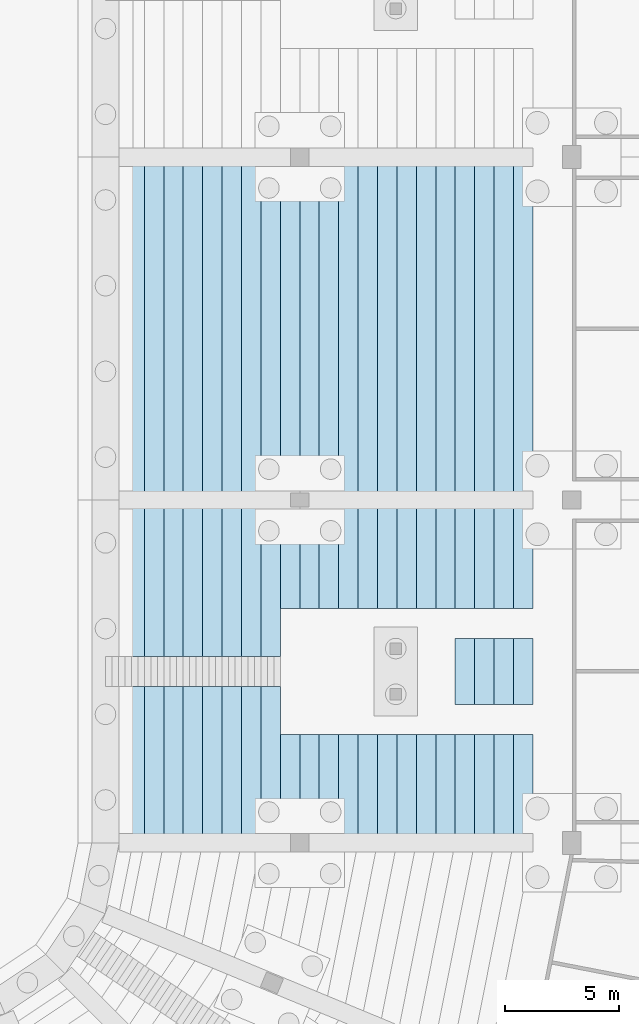
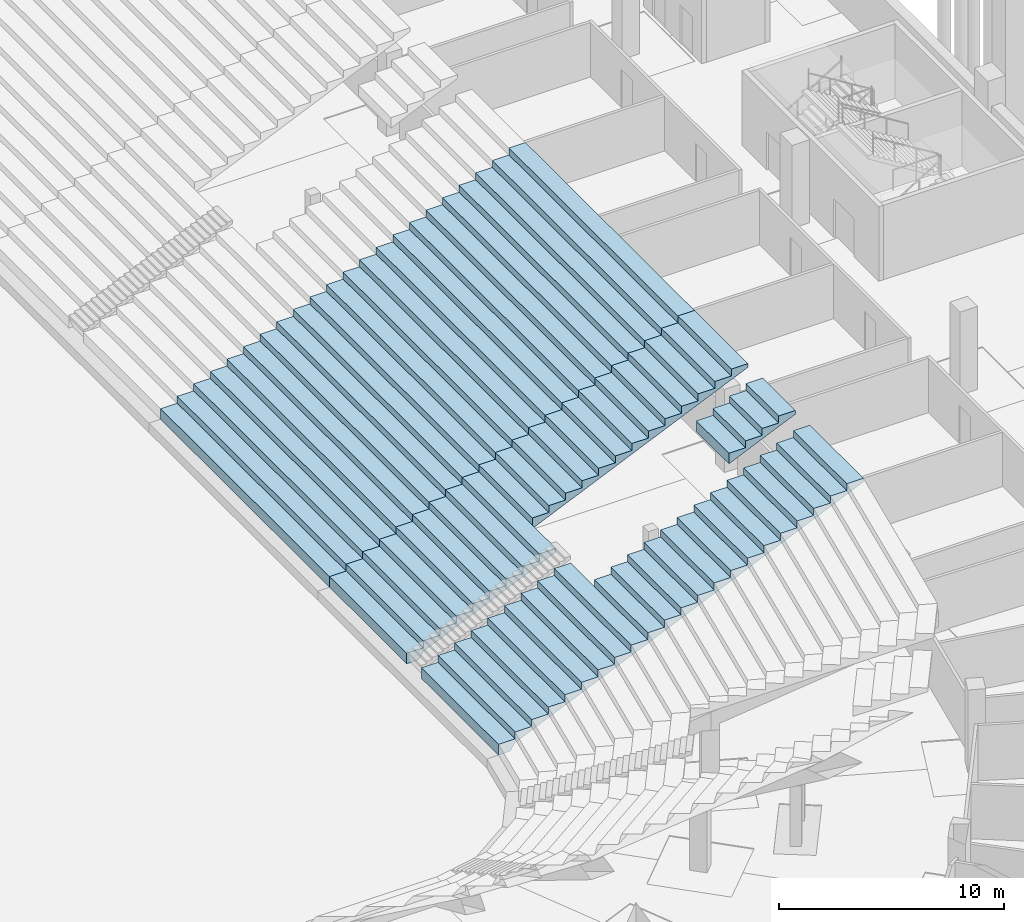
# One storey, part 50 of 115: 2 slabs.
"""IFC4 building model written with IfcOpenShell, lengths in metres."""

from ifc_helpers import new_model, si_unit, direction, frame, origin, place, context, subcontext, project, spatial, faceted_brep, material, layer, layer_set, type_object, element, save


model = new_model("IFC4")

# Units and contexts
model_context = context("Model", 3, precision=1e-05, world=origin(), true_north=direction((0.0, 1.0)))
body_context = subcontext(model_context, "Body", "Model", "MODEL_VIEW")
ifc_project = project(units=[si_unit("LENGTHUNIT", "METRE"), si_unit("AREAUNIT", "SQUARE_METRE"), si_unit("VOLUMEUNIT", "CUBIC_METRE"), si_unit("PLANEANGLEUNIT", "RADIAN"), si_unit("MASSUNIT", "GRAM", prefix="KILO")], contexts=[model_context])

# Site, building, storey
site_placement = place(None, origin())
site = spatial("IfcSite", under=ifc_project, at=site_placement, CompositionType="ELEMENT")
building_placement = place(site_placement, origin())
building = spatial("IfcBuilding", under=site, at=building_placement, Name="Ogive Plaza Stadium", CompositionType="ELEMENT")
storey_placement = place(building_placement, frame((0.0, 0.0, -4.5)))
storey = spatial("IfcBuildingStorey", under=building, at=storey_placement, Name="B1", CompositionType="ELEMENT", Elevation=-4.5)

# Slabs
ifc_material = material(Name="Concrete C45/55 precast", Category="concrete")
ifc_layer = layer(ifc_material, 0.574951171875)
ifc_layer_set = layer_set([ifc_layer], Name="Concrete C45/55 precast")
slab_type = type_object("IfcSlabType", Name="Seating tier LT 575", PredefinedType="USERDEFINED", material=ifc_layer_set)
slab_1_placement = place(storey_placement, origin())
element("IfcSlab", 1, at=slab_1_placement, inside=storey, type_object=slab_type, Name="Stand LT B06", ObjectType="SEATING TIER", PredefinedType="USERDEFINED", context=body_context, shape_type="Brep", body=[
    faceted_brep([(41.5, -37.5, 1.125), (42.10009765625, -37.5, 1.125), (42.10009765625, -22.5, 1.125), (41.5, -22.5, 1.125), (42.35009765625, -37.5, 1.125), (42.35009765625, -22.5, 1.125), (42.10009765625, -37.5, 0.550048828125), (41.5, -22.5, 0.550048828125), (42.10009765625, -22.5, 0.550048828125), (41.5, -37.5, 0.550048828125), (42.35009765625, -22.5, 0.925048828125), (42.35009765625, -22.5, 1.5), (43.199951171875, -22.5, 1.5), (43.199951171875, -22.5, 1.300048828125), (43.199951171875, -22.5, 1.875), (44.050048828125, -22.5, 1.875), (44.050048828125, -22.5, 1.675048828125), (44.050048828125, -22.5, 2.25), (44.89990234375, -22.5, 2.25), (44.89990234375, -22.5, 2.050048828125), (44.89990234375, -22.5, 2.625), (45.75, -22.5, 2.625), (45.75, -22.5, 2.425048828125), (45.75, -22.5, 3.0), (46.60009765625, -22.5, 3.0), (46.60009765625, -22.5, 2.800048828125), (46.60009765625, -22.5, 3.375), (47.449951171875, -22.5, 3.375), (47.449951171875, -22.5, 3.175048828125), (47.449951171875, -22.5, 3.75), (48.300048828125, -22.5, 3.75), (48.300048828125, -22.5, 3.550048828125), (48.300048828125, -22.5, 4.125), (49.14990234375, -22.5, 4.125), (49.14990234375, -22.5, 3.925048828125), (49.14990234375, -22.5, 4.5), (50.0, -22.5, 4.5), (50.0, -22.5, 4.300048828125), (50.0, -22.5, 4.875), (50.85009765625, -22.5, 4.875), (50.85009765625, -22.5, 4.675048828125), (50.85009765625, -22.5, 5.25), (51.699951171875, -22.5, 5.25), (51.699951171875, -22.5, 5.050048828125), (51.699951171875, -22.5, 5.625), (52.550048828125, -22.5, 5.625), (52.550048828125, -22.5, 5.425048828125), (52.550048828125, -22.5, 6.0), (53.39990234375, -22.5, 6.0), (53.39990234375, -22.5, 5.800048828125), (53.39990234375, -22.5, 6.375), (54.25, -22.5, 6.375), (54.25, -22.5, 6.175048828125), (54.25, -22.5, 6.75), (55.10009765625, -22.5, 6.75), (55.10009765625, -22.5, 6.550048828125), (55.10009765625, -22.5, 7.125), (55.949951171875, -22.5, 7.125), (55.949951171875, -22.5, 6.925048828125), (55.949951171875, -22.5, 7.5), (56.800048828125, -22.5, 7.5), (56.800048828125, -22.5, 7.300048828125), (56.800048828125, -22.5, 7.875), (57.64990234375, -22.5, 7.875), (57.64990234375, -22.5, 7.675048828125), (57.64990234375, -22.5, 8.25), (58.5, -22.5, 8.25), (58.5, -22.5, 8.050048828125), (58.5, -22.5, 8.625), (59.35009765625, -22.5, 8.625), (59.35009765625, -22.5, 8.425048828125), (59.35009765625, -22.5, 9.0), (60.199951171875, -22.5, 9.0), (60.199951171875, -22.5, 8.800048828125), (42.35009765625, -37.5, 0.925048828125), (43.199951171875, -37.5, 1.5), (42.35009765625, -37.5, 1.5), (43.199951171875, -37.5, 1.300048828125), (44.050048828125, -37.5, 1.875), (43.199951171875, -37.5, 1.875), (44.050048828125, -37.5, 1.675048828125), (44.89990234375, -37.5, 2.25), (44.050048828125, -37.5, 2.25), (44.89990234375, -37.5, 2.050048828125), (45.75, -37.5, 2.625), (44.89990234375, -37.5, 2.625), (45.75, -37.5, 2.425048828125), (46.60009765625, -37.5, 3.0), (45.75, -37.5, 3.0), (46.60009765625, -37.5, 2.800048828125), (47.449951171875, -37.5, 3.375), (46.60009765625, -37.5, 3.375), (47.449951171875, -37.5, 3.175048828125), (48.300048828125, -37.5, 3.75), (47.449951171875, -37.5, 3.75), (48.300048828125, -37.5, 3.550048828125), (49.14990234375, -37.5, 4.125), (48.300048828125, -37.5, 4.125), (49.14990234375, -37.5, 3.925048828125), (50.0, -37.5, 4.5), (49.14990234375, -37.5, 4.5), (50.0, -37.5, 4.300048828125), (50.85009765625, -37.5, 4.875), (50.0, -37.5, 4.875), (50.85009765625, -37.5, 4.675048828125), (51.699951171875, -37.5, 5.25), (50.85009765625, -37.5, 5.25), (51.699951171875, -37.5, 5.050048828125), (52.550048828125, -37.5, 5.625), (51.699951171875, -37.5, 5.625), (52.550048828125, -37.5, 5.425048828125), (53.39990234375, -37.5, 6.0), (52.550048828125, -37.5, 6.0), (53.39990234375, -37.5, 5.800048828125), (54.25, -37.5, 6.375), (53.39990234375, -37.5, 6.375), (54.25, -37.5, 6.175048828125), (55.10009765625, -37.5, 6.75), (54.25, -37.5, 6.75), (55.10009765625, -37.5, 6.550048828125), (55.949951171875, -37.5, 7.125), (55.10009765625, -37.5, 7.125), (55.949951171875, -37.5, 6.925048828125), (56.800048828125, -37.5, 7.5), (55.949951171875, -37.5, 7.5), (56.800048828125, -37.5, 7.300048828125), (57.64990234375, -37.5, 7.875), (56.800048828125, -37.5, 7.875), (57.64990234375, -37.5, 7.675048828125), (58.5, -37.5, 8.25), (57.64990234375, -37.5, 8.25), (58.5, -37.5, 8.050048828125), (59.35009765625, -37.5, 8.625), (58.5, -37.5, 8.625), (59.35009765625, -37.5, 8.425048828125), (60.199951171875, -37.5, 9.0), (59.35009765625, -37.5, 9.0), (60.199951171875, -37.5, 8.800048828125)], [[[0, 1, 2]], [[2, 3, 0]], [[1, 4, 5]], [[5, 2, 1]], [[6, 7, 8]], [[6, 9, 7]], [[2, 8, 7]], [[7, 3, 2]], [[10, 8, 2]], [[10, 2, 5]], [[5, 11, 12]], [[12, 13, 10]], [[10, 5, 12]], [[12, 14, 15]], [[15, 16, 13]], [[13, 12, 15]], [[15, 17, 18]], [[18, 19, 16]], [[16, 15, 18]], [[18, 20, 21]], [[21, 22, 19]], [[19, 18, 21]], [[21, 23, 24]], [[24, 25, 22]], [[22, 21, 24]], [[24, 26, 27]], [[27, 28, 25]], [[25, 24, 27]], [[27, 29, 30]], [[30, 31, 28]], [[28, 27, 30]], [[30, 32, 33]], [[33, 34, 31]], [[31, 30, 33]], [[33, 35, 36]], [[36, 37, 34]], [[34, 33, 36]], [[36, 38, 39]], [[39, 40, 37]], [[37, 36, 39]], [[39, 41, 42]], [[42, 43, 40]], [[40, 39, 42]], [[42, 44, 45]], [[45, 46, 43]], [[43, 42, 45]], [[45, 47, 48]], [[48, 49, 46]], [[46, 45, 48]], [[48, 50, 51]], [[51, 52, 49]], [[49, 48, 51]], [[51, 53, 54]], [[54, 55, 52]], [[52, 51, 54]], [[54, 56, 57]], [[57, 58, 55]], [[55, 54, 57]], [[57, 59, 60]], [[60, 61, 58]], [[58, 57, 60]], [[60, 62, 63]], [[63, 64, 61]], [[61, 60, 63]], [[63, 65, 66]], [[66, 67, 64]], [[64, 63, 66]], [[66, 68, 69]], [[69, 70, 67]], [[67, 66, 69]], [[69, 71, 72]], [[72, 73, 70]], [[70, 69, 72]], [[3, 7, 9]], [[9, 0, 3]], [[0, 9, 6]], [[6, 1, 0]], [[1, 6, 74]], [[74, 4, 1]], [[75, 76, 4]], [[4, 74, 77]], [[77, 75, 4]], [[78, 79, 75]], [[75, 77, 80]], [[80, 78, 75]], [[81, 82, 78]], [[78, 80, 83]], [[83, 81, 78]], [[84, 85, 81]], [[81, 83, 86]], [[86, 84, 81]], [[87, 88, 84]], [[84, 86, 89]], [[89, 87, 84]], [[90, 91, 87]], [[87, 89, 92]], [[92, 90, 87]], [[93, 94, 90]], [[90, 92, 95]], [[95, 93, 90]], [[96, 97, 93]], [[93, 95, 98]], [[98, 96, 93]], [[99, 100, 96]], [[96, 98, 101]], [[101, 99, 96]], [[102, 103, 99]], [[99, 101, 104]], [[104, 102, 99]], [[105, 106, 102]], [[102, 104, 107]], [[107, 105, 102]], [[108, 109, 105]], [[105, 107, 110]], [[110, 108, 105]], [[111, 112, 108]], [[108, 110, 113]], [[113, 111, 108]], [[114, 115, 111]], [[111, 113, 116]], [[116, 114, 111]], [[117, 118, 114]], [[114, 116, 119]], [[119, 117, 114]], [[120, 121, 117]], [[117, 119, 122]], [[122, 120, 117]], [[123, 124, 120]], [[120, 122, 125]], [[125, 123, 120]], [[126, 127, 123]], [[123, 125, 128]], [[128, 126, 123]], [[129, 130, 126]], [[126, 128, 131]], [[131, 129, 126]], [[132, 133, 129]], [[129, 131, 134]], [[134, 132, 129]], [[135, 136, 132]], [[132, 134, 137]], [[137, 135, 132]], [[74, 8, 10]], [[74, 6, 8]], [[4, 76, 11]], [[11, 5, 4]], [[76, 75, 12]], [[12, 11, 76]], [[77, 10, 13]], [[77, 74, 10]], [[80, 13, 16]], [[80, 77, 13]], [[83, 16, 19]], [[83, 80, 16]], [[86, 19, 22]], [[86, 83, 19]], [[89, 22, 25]], [[89, 86, 22]], [[92, 25, 28]], [[92, 89, 25]], [[95, 28, 31]], [[95, 92, 28]], [[98, 31, 34]], [[98, 95, 31]], [[101, 34, 37]], [[101, 98, 34]], [[104, 37, 40]], [[104, 101, 37]], [[107, 40, 43]], [[107, 104, 40]], [[110, 43, 46]], [[110, 107, 43]], [[113, 46, 49]], [[113, 110, 46]], [[116, 49, 52]], [[116, 113, 49]], [[119, 52, 55]], [[119, 116, 52]], [[122, 55, 58]], [[122, 119, 55]], [[125, 58, 61]], [[125, 122, 58]], [[128, 61, 64]], [[128, 125, 61]], [[75, 79, 14]], [[14, 12, 75]], [[79, 78, 15]], [[15, 14, 79]], [[78, 82, 17]], [[17, 15, 78]], [[82, 81, 18]], [[18, 17, 82]], [[81, 85, 20]], [[20, 18, 81]], [[85, 84, 21]], [[21, 20, 85]], [[84, 88, 23]], [[23, 21, 84]], [[88, 87, 24]], [[24, 23, 88]], [[87, 91, 26]], [[26, 24, 87]], [[91, 90, 27]], [[27, 26, 91]], [[90, 94, 29]], [[29, 27, 90]], [[94, 93, 30]], [[30, 29, 94]], [[93, 97, 32]], [[32, 30, 93]], [[97, 96, 33]], [[33, 32, 97]], [[96, 100, 35]], [[35, 33, 96]], [[100, 99, 36]], [[36, 35, 100]], [[99, 103, 38]], [[38, 36, 99]], [[103, 102, 39]], [[39, 38, 103]], [[102, 106, 41]], [[41, 39, 102]], [[106, 105, 42]], [[42, 41, 106]], [[105, 109, 44]], [[44, 42, 105]], [[109, 108, 45]], [[45, 44, 109]], [[108, 112, 47]], [[47, 45, 108]], [[112, 111, 48]], [[48, 47, 112]], [[111, 115, 50]], [[50, 48, 111]], [[115, 114, 51]], [[51, 50, 115]], [[114, 118, 53]], [[53, 51, 114]], [[118, 117, 54]], [[54, 53, 118]], [[117, 121, 56]], [[56, 54, 117]], [[121, 120, 57]], [[57, 56, 121]], [[120, 124, 59]], [[59, 57, 120]], [[124, 123, 60]], [[60, 59, 124]], [[123, 127, 62]], [[62, 60, 123]], [[127, 126, 63]], [[63, 62, 127]], [[126, 130, 65]], [[65, 63, 126]], [[130, 129, 66]], [[66, 65, 130]], [[131, 64, 67]], [[131, 128, 64]], [[134, 67, 70]], [[134, 131, 67]], [[137, 70, 73]], [[137, 134, 70]], [[129, 133, 68]], [[68, 66, 129]], [[133, 132, 69]], [[69, 68, 133]], [[132, 136, 71]], [[71, 69, 132]], [[136, 135, 72]], [[72, 71, 136]], [[135, 137, 73]], [[73, 72, 135]]]),
])
slab_2_placement = place(storey_placement, origin())
element("IfcSlab", 2, at=slab_2_placement, inside=storey, type_object=slab_type, Name="Stand LT B07", ObjectType="SEATING TIER", PredefinedType="USERDEFINED", context=body_context, shape_type="Brep", body=[
    faceted_brep([(41.5, -44.35009765625, 1.125), (42.10009765625, -44.35009765625, 1.125), (42.10009765625, -37.5, 1.125), (41.5, -37.5, 1.125), (41.5, -52.5, 1.125), (42.10009765625, -52.5, 1.125), (42.10009765625, -45.64990234375, 1.125), (41.5, -45.64990234375, 1.125), (42.35009765625, -44.35009765625, 1.125), (42.35009765625, -37.5, 1.125), (42.35009765625, -52.5, 1.125), (42.35009765625, -45.64990234375, 1.125), (42.10009765625, -44.35009765625, 0.550048828125), (41.5, -37.5, 0.550048828125), (42.10009765625, -37.5, 0.550048828125), (41.5, -44.35009765625, 0.550048828125), (42.10009765625, -52.5, 0.550048828125), (41.5, -45.64990234375, 0.550048828125), (42.10009765625, -45.64990234375, 0.550048828125), (41.5, -52.5, 0.550048828125), (42.35009765625, -37.5, 0.925048828125), (42.35009765625, -37.5, 1.5), (43.199951171875, -37.5, 1.5), (43.199951171875, -37.5, 1.300048828125), (43.199951171875, -37.5, 1.875), (44.050048828125, -37.5, 1.875), (44.050048828125, -37.5, 1.675048828125), (44.050048828125, -37.5, 2.25), (44.89990234375, -37.5, 2.25), (44.89990234375, -37.5, 2.050048828125), (44.89990234375, -37.5, 2.625), (45.75, -37.5, 2.625), (45.75, -37.5, 2.425048828125), (45.75, -37.5, 3.0), (46.60009765625, -37.5, 3.0), (46.60009765625, -37.5, 2.800048828125), (46.60009765625, -37.5, 3.375), (47.449951171875, -37.5, 3.375), (47.449951171875, -37.5, 3.175048828125), (47.449951171875, -37.5, 3.75), (48.300048828125, -37.5, 3.75), (48.300048828125, -37.5, 3.550048828125), (48.300048828125, -37.5, 4.125), (49.14990234375, -37.5, 4.125), (49.14990234375, -37.5, 3.925048828125), (49.14990234375, -37.5, 4.5), (50.0, -37.5, 4.5), (50.0, -37.5, 4.300048828125), (50.0, -37.5, 4.875), (50.85009765625, -37.5, 4.875), (50.85009765625, -37.5, 4.675048828125), (50.85009765625, -37.5, 5.25), (51.699951171875, -37.5, 5.25), (51.699951171875, -37.5, 5.050048828125), (51.699951171875, -37.5, 5.625), (52.550048828125, -37.5, 5.625), (52.550048828125, -37.5, 5.425048828125), (52.550048828125, -37.5, 6.0), (53.39990234375, -37.5, 6.0), (53.39990234375, -37.5, 5.800048828125), (53.39990234375, -37.5, 6.375), (54.25, -37.5, 6.375), (54.25, -37.5, 6.175048828125), (54.25, -37.5, 6.75), (55.10009765625, -37.5, 6.75), (55.10009765625, -37.5, 6.550048828125), (55.10009765625, -37.5, 7.125), (55.949951171875, -37.5, 7.125), (55.949951171875, -37.5, 6.925048828125), (55.949951171875, -37.5, 7.5), (56.800048828125, -37.5, 7.5), (56.800048828125, -37.5, 7.300048828125), (56.800048828125, -37.5, 7.875), (57.64990234375, -37.5, 7.875), (57.64990234375, -37.5, 7.675048828125), (57.64990234375, -37.5, 8.25), (58.5, -37.5, 8.25), (58.5, -37.5, 8.050048828125), (58.5, -37.5, 8.625), (59.35009765625, -37.5, 8.625), (59.35009765625, -37.5, 8.425048828125), (59.35009765625, -37.5, 9.0), (60.199951171875, -37.5, 9.0), (60.199951171875, -37.5, 8.800048828125), (42.35009765625, -44.35009765625, 0.925048828125), (43.199951171875, -44.35009765625, 1.5), (42.35009765625, -44.35009765625, 1.5), (43.199951171875, -44.35009765625, 1.300048828125), (44.050048828125, -44.35009765625, 1.875), (43.199951171875, -44.35009765625, 1.875), (44.050048828125, -44.35009765625, 1.675048828125), (44.89990234375, -44.35009765625, 2.25), (44.050048828125, -44.35009765625, 2.25), (44.89990234375, -44.35009765625, 2.050048828125), (45.75, -44.35009765625, 2.625), (44.89990234375, -44.35009765625, 2.625), (45.75, -44.35009765625, 2.425048828125), (46.60009765625, -44.35009765625, 3.0), (45.75, -44.35009765625, 3.0), (46.60009765625, -44.35009765625, 2.800048828125), (47.449951171875, -44.35009765625, 3.375), (46.60009765625, -44.35009765625, 3.375), (47.449951171875, -44.35009765625, 3.175048828125), (48.300048828125, -44.35009765625, 3.75), (47.449951171875, -44.35009765625, 3.75), (48.300048828125, -44.35009765625, 3.550048828125), (49.14990234375, -44.35009765625, 4.125), (48.300048828125, -44.35009765625, 4.125), (49.14990234375, -44.35009765625, 3.925048828125), (42.35009765625, -45.64990234375, 0.925048828125), (42.35009765625, -45.64990234375, 1.5), (43.199951171875, -45.64990234375, 1.5), (43.199951171875, -45.64990234375, 1.300048828125), (43.199951171875, -45.64990234375, 1.875), (44.050048828125, -45.64990234375, 1.875), (44.050048828125, -45.64990234375, 1.675048828125), (44.050048828125, -45.64990234375, 2.25), (44.89990234375, -45.64990234375, 2.25), (44.89990234375, -45.64990234375, 2.050048828125), (44.89990234375, -45.64990234375, 2.625), (45.75, -45.64990234375, 2.625), (45.75, -45.64990234375, 2.425048828125), (45.75, -45.64990234375, 3.0), (46.60009765625, -45.64990234375, 3.0), (46.60009765625, -45.64990234375, 2.800048828125), (46.60009765625, -45.64990234375, 3.375), (47.449951171875, -45.64990234375, 3.375), (47.449951171875, -45.64990234375, 3.175048828125), (47.449951171875, -45.64990234375, 3.75), (48.300048828125, -45.64990234375, 3.75), (48.300048828125, -45.64990234375, 3.550048828125), (48.300048828125, -45.64990234375, 4.125), (49.14990234375, -45.64990234375, 4.125), (49.14990234375, -45.64990234375, 3.925048828125), (42.35009765625, -52.5, 0.925048828125), (43.199951171875, -52.5, 1.5), (42.35009765625, -52.5, 1.5), (43.199951171875, -52.5, 1.300048828125), (44.050048828125, -52.5, 1.875), (43.199951171875, -52.5, 1.875), (44.050048828125, -52.5, 1.675048828125), (44.89990234375, -52.5, 2.25), (44.050048828125, -52.5, 2.25), (44.89990234375, -52.5, 2.050048828125), (45.75, -52.5, 2.625), (44.89990234375, -52.5, 2.625), (45.75, -52.5, 2.425048828125), (46.60009765625, -52.5, 3.0), (45.75, -52.5, 3.0), (46.60009765625, -52.5, 2.800048828125), (47.449951171875, -52.5, 3.375), (46.60009765625, -52.5, 3.375), (47.449951171875, -52.5, 3.175048828125), (48.300048828125, -52.5, 3.75), (47.449951171875, -52.5, 3.75), (48.300048828125, -52.5, 3.550048828125), (49.14990234375, -52.5, 4.125), (48.300048828125, -52.5, 4.125), (49.14990234375, -52.5, 3.925048828125), (50.0, -52.5, 4.5), (49.14990234375, -52.5, 4.5), (50.0, -52.5, 4.300048828125), (50.85009765625, -52.5, 4.875), (50.0, -52.5, 4.875), (50.85009765625, -52.5, 4.675048828125), (51.699951171875, -52.5, 5.25), (50.85009765625, -52.5, 5.25), (51.699951171875, -52.5, 5.050048828125), (52.550048828125, -52.5, 5.625), (51.699951171875, -52.5, 5.625), (52.550048828125, -52.5, 5.425048828125), (53.39990234375, -52.5, 6.0), (52.550048828125, -52.5, 6.0), (53.39990234375, -52.5, 5.800048828125), (54.25, -52.5, 6.375), (53.39990234375, -52.5, 6.375), (54.25, -52.5, 6.175048828125), (55.10009765625, -52.5, 6.75), (54.25, -52.5, 6.75), (55.10009765625, -52.5, 6.550048828125), (55.949951171875, -52.5, 7.125), (55.10009765625, -52.5, 7.125), (55.949951171875, -52.5, 6.925048828125), (56.800048828125, -52.5, 7.5), (55.949951171875, -52.5, 7.5), (56.800048828125, -52.5, 7.300048828125), (57.64990234375, -52.5, 7.875), (56.800048828125, -52.5, 7.875), (57.64990234375, -52.5, 7.675048828125), (58.5, -52.5, 8.25), (57.64990234375, -52.5, 8.25), (58.5, -52.5, 8.050048828125), (59.35009765625, -52.5, 8.625), (58.5, -52.5, 8.625), (59.35009765625, -52.5, 8.425048828125), (60.199951171875, -52.5, 9.0), (59.35009765625, -52.5, 9.0), (60.199951171875, -52.5, 8.800048828125), (49.14990234375, -42.25, 3.925048828125), (49.14990234375, -47.75, 3.925048828125), (50.0, -42.25, 4.300048828125), (50.0, -47.75, 4.300048828125), (50.85009765625, -42.25, 4.675048828125), (50.85009765625, -47.75, 4.675048828125), (51.699951171875, -42.25, 5.050048828125), (51.699951171875, -47.75, 5.050048828125), (52.550048828125, -42.25, 5.425048828125), (52.550048828125, -47.75, 5.425048828125), (53.39990234375, -42.25, 5.800048828125), (53.39990234375, -47.75, 5.800048828125), (54.25, -42.25, 6.175048828125), (54.25, -47.75, 6.175048828125), (55.10009765625, -42.25, 6.550048828125), (55.10009765625, -47.75, 6.550048828125), (55.949951171875, -42.25, 6.925048828125), (55.949951171875, -47.75, 6.925048828125), (56.800048828125, -42.25, 7.300048828125), (56.800048828125, -47.75, 7.300048828125), (57.64990234375, -42.25, 7.675048828125), (57.64990234375, -46.449951171875, 7.675048828125), (56.800048828125, -43.550048828125, 7.300048828125), (57.64990234375, -43.550048828125, 7.675048828125), (56.800048828125, -46.449951171875, 7.300048828125), (57.64990234375, -47.75, 7.675048828125), (49.14990234375, -42.25, 4.125), (49.14990234375, -47.75, 4.125), (49.14990234375, -42.25, 4.5), (49.14990234375, -47.75, 4.5), (50.0, -42.25, 4.5), (50.0, -47.75, 4.5), (50.0, -42.25, 4.875), (50.0, -47.75, 4.875), (50.85009765625, -42.25, 4.875), (51.699951171875, -42.25, 5.25), (50.85009765625, -42.25, 5.25), (52.550048828125, -42.25, 5.625), (51.699951171875, -42.25, 5.625), (53.39990234375, -42.25, 6.0), (52.550048828125, -42.25, 6.0), (54.25, -42.25, 6.375), (53.39990234375, -42.25, 6.375), (55.10009765625, -42.25, 6.75), (54.25, -42.25, 6.75), (55.949951171875, -42.25, 7.125), (55.10009765625, -42.25, 7.125), (56.800048828125, -42.25, 7.5), (55.949951171875, -42.25, 7.5), (57.64990234375, -42.25, 7.875), (56.800048828125, -42.25, 7.875), (58.5, -42.25, 8.25), (57.64990234375, -42.25, 8.25), (58.5, -42.25, 8.050048828125), (59.35009765625, -42.25, 8.625), (58.5, -42.25, 8.625), (59.35009765625, -42.25, 8.425048828125), (60.199951171875, -42.25, 9.0), (59.35009765625, -42.25, 9.0), (60.199951171875, -42.25, 8.800048828125), (50.85009765625, -47.75, 4.875), (50.85009765625, -47.75, 5.25), (51.699951171875, -47.75, 5.25), (51.699951171875, -47.75, 5.625), (52.550048828125, -47.75, 5.625), (52.550048828125, -47.75, 6.0), (53.39990234375, -47.75, 6.0), (53.39990234375, -47.75, 6.375), (54.25, -47.75, 6.375), (54.25, -47.75, 6.75), (55.10009765625, -47.75, 6.75), (55.10009765625, -47.75, 7.125), (55.949951171875, -47.75, 7.125), (55.949951171875, -47.75, 7.5), (56.800048828125, -47.75, 7.5), (56.800048828125, -47.75, 7.875), (57.64990234375, -47.75, 7.875), (57.64990234375, -47.75, 8.25), (58.5, -47.75, 8.25), (58.5, -47.75, 8.050048828125), (58.5, -47.75, 8.625), (59.35009765625, -47.75, 8.625), (59.35009765625, -47.75, 8.425048828125), (59.35009765625, -47.75, 9.0), (60.199951171875, -47.75, 9.0), (60.199951171875, -47.75, 8.800048828125), (56.800048828125, -43.550048828125, 7.875), (56.800048828125, -46.449951171875, 7.875), (57.64990234375, -46.449951171875, 7.875), (57.64990234375, -43.550048828125, 7.875), (57.64990234375, -46.449951171875, 8.25), (57.64990234375, -43.550048828125, 8.25), (58.5, -43.550048828125, 8.25), (58.5, -43.550048828125, 8.050048828125), (58.5, -43.550048828125, 8.625), (59.35009765625, -43.550048828125, 8.625), (59.35009765625, -43.550048828125, 8.425048828125), (59.35009765625, -43.550048828125, 9.0), (60.199951171875, -43.550048828125, 9.0), (60.199951171875, -43.550048828125, 8.800048828125), (58.5, -46.449951171875, 8.25), (58.5, -46.449951171875, 8.050048828125), (59.35009765625, -46.449951171875, 8.625), (58.5, -46.449951171875, 8.625), (59.35009765625, -46.449951171875, 8.425048828125), (60.199951171875, -46.449951171875, 9.0), (59.35009765625, -46.449951171875, 9.0), (60.199951171875, -46.449951171875, 8.800048828125)], [[[0, 1, 2]], [[2, 3, 0]], [[4, 5, 6]], [[6, 7, 4]], [[1, 8, 9]], [[9, 2, 1]], [[5, 10, 11]], [[11, 6, 5]], [[12, 13, 14]], [[12, 15, 13]], [[16, 17, 18]], [[16, 19, 17]], [[2, 14, 13]], [[13, 3, 2]], [[20, 14, 2]], [[20, 2, 9]], [[9, 21, 22]], [[22, 23, 20]], [[20, 9, 22]], [[22, 24, 25]], [[25, 26, 23]], [[23, 22, 25]], [[25, 27, 28]], [[28, 29, 26]], [[26, 25, 28]], [[28, 30, 31]], [[31, 32, 29]], [[29, 28, 31]], [[31, 33, 34]], [[34, 35, 32]], [[32, 31, 34]], [[34, 36, 37]], [[37, 38, 35]], [[35, 34, 37]], [[37, 39, 40]], [[40, 41, 38]], [[38, 37, 40]], [[40, 42, 43]], [[43, 44, 41]], [[41, 40, 43]], [[43, 45, 46]], [[46, 47, 44]], [[44, 43, 46]], [[46, 48, 49]], [[49, 50, 47]], [[47, 46, 49]], [[49, 51, 52]], [[52, 53, 50]], [[50, 49, 52]], [[52, 54, 55]], [[55, 56, 53]], [[53, 52, 55]], [[55, 57, 58]], [[58, 59, 56]], [[56, 55, 58]], [[58, 60, 61]], [[61, 62, 59]], [[59, 58, 61]], [[61, 63, 64]], [[64, 65, 62]], [[62, 61, 64]], [[64, 66, 67]], [[67, 68, 65]], [[65, 64, 67]], [[67, 69, 70]], [[70, 71, 68]], [[68, 67, 70]], [[70, 72, 73]], [[73, 74, 71]], [[71, 70, 73]], [[73, 75, 76]], [[76, 77, 74]], [[74, 73, 76]], [[76, 78, 79]], [[79, 80, 77]], [[77, 76, 79]], [[79, 81, 82]], [[82, 83, 80]], [[80, 79, 82]], [[3, 13, 15]], [[15, 0, 3]], [[7, 17, 19]], [[19, 4, 7]], [[0, 15, 12]], [[12, 1, 0]], [[1, 12, 84]], [[84, 8, 1]], [[85, 86, 8]], [[8, 84, 87]], [[87, 85, 8]], [[88, 89, 85]], [[85, 87, 90]], [[90, 88, 85]], [[91, 92, 88]], [[88, 90, 93]], [[93, 91, 88]], [[94, 95, 91]], [[91, 93, 96]], [[96, 94, 91]], [[97, 98, 94]], [[94, 96, 99]], [[99, 97, 94]], [[100, 101, 97]], [[97, 99, 102]], [[102, 100, 97]], [[103, 104, 100]], [[100, 102, 105]], [[105, 103, 100]], [[106, 107, 103]], [[103, 105, 108]], [[108, 106, 103]], [[6, 18, 17]], [[17, 7, 6]], [[109, 18, 6]], [[109, 6, 11]], [[11, 110, 111]], [[111, 112, 109]], [[109, 11, 111]], [[111, 113, 114]], [[114, 115, 112]], [[112, 111, 114]], [[114, 116, 117]], [[117, 118, 115]], [[115, 114, 117]], [[117, 119, 120]], [[120, 121, 118]], [[118, 117, 120]], [[120, 122, 123]], [[123, 124, 121]], [[121, 120, 123]], [[123, 125, 126]], [[126, 127, 124]], [[124, 123, 126]], [[126, 128, 129]], [[129, 130, 127]], [[127, 126, 129]], [[129, 131, 132]], [[132, 133, 130]], [[130, 129, 132]], [[4, 19, 16]], [[16, 5, 4]], [[5, 16, 134]], [[134, 10, 5]], [[135, 136, 10]], [[10, 134, 137]], [[137, 135, 10]], [[138, 139, 135]], [[135, 137, 140]], [[140, 138, 135]], [[141, 142, 138]], [[138, 140, 143]], [[143, 141, 138]], [[144, 145, 141]], [[141, 143, 146]], [[146, 144, 141]], [[147, 148, 144]], [[144, 146, 149]], [[149, 147, 144]], [[150, 151, 147]], [[147, 149, 152]], [[152, 150, 147]], [[153, 154, 150]], [[150, 152, 155]], [[155, 153, 150]], [[156, 157, 153]], [[153, 155, 158]], [[158, 156, 153]], [[159, 160, 156]], [[156, 158, 161]], [[161, 159, 156]], [[162, 163, 159]], [[159, 161, 164]], [[164, 162, 159]], [[165, 166, 162]], [[162, 164, 167]], [[167, 165, 162]], [[168, 169, 165]], [[165, 167, 170]], [[170, 168, 165]], [[171, 172, 168]], [[168, 170, 173]], [[173, 171, 168]], [[174, 175, 171]], [[171, 173, 176]], [[176, 174, 171]], [[177, 178, 174]], [[174, 176, 179]], [[179, 177, 174]], [[180, 181, 177]], [[177, 179, 182]], [[182, 180, 177]], [[183, 184, 180]], [[180, 182, 185]], [[185, 183, 180]], [[186, 187, 183]], [[183, 185, 188]], [[188, 186, 183]], [[189, 190, 186]], [[186, 188, 191]], [[191, 189, 186]], [[192, 193, 189]], [[189, 191, 194]], [[194, 192, 189]], [[195, 196, 192]], [[192, 194, 197]], [[197, 195, 192]], [[84, 14, 20]], [[84, 12, 14]], [[134, 18, 109]], [[134, 16, 18]], [[8, 86, 21]], [[21, 9, 8]], [[10, 136, 110]], [[110, 11, 10]], [[86, 85, 22]], [[22, 21, 86]], [[136, 135, 111]], [[111, 110, 136]], [[87, 20, 23]], [[87, 84, 20]], [[137, 109, 112]], [[137, 134, 109]], [[90, 23, 26]], [[90, 87, 23]], [[140, 112, 115]], [[140, 137, 112]], [[93, 26, 29]], [[93, 90, 26]], [[143, 115, 118]], [[143, 140, 115]], [[96, 29, 32]], [[96, 93, 29]], [[146, 118, 121]], [[146, 143, 118]], [[99, 32, 35]], [[99, 96, 32]], [[149, 121, 124]], [[149, 146, 121]], [[102, 35, 38]], [[102, 99, 35]], [[152, 124, 127]], [[152, 149, 124]], [[105, 38, 41]], [[105, 102, 38]], [[155, 127, 130]], [[155, 152, 127]], [[41, 44, 198]], [[108, 41, 198]], [[108, 105, 41]], [[199, 158, 130]], [[130, 133, 199]], [[158, 155, 130]], [[200, 44, 47]], [[200, 198, 44]], [[161, 199, 201]], [[161, 158, 199]], [[202, 47, 50]], [[202, 200, 47]], [[164, 201, 203]], [[164, 161, 201]], [[204, 50, 53]], [[204, 202, 50]], [[167, 203, 205]], [[167, 164, 203]], [[206, 53, 56]], [[206, 204, 53]], [[170, 205, 207]], [[170, 167, 205]], [[208, 56, 59]], [[208, 206, 56]], [[173, 207, 209]], [[173, 170, 207]], [[210, 59, 62]], [[210, 208, 59]], [[176, 209, 211]], [[176, 173, 209]], [[212, 62, 65]], [[212, 210, 62]], [[179, 211, 213]], [[179, 176, 211]], [[214, 65, 68]], [[214, 212, 65]], [[182, 213, 215]], [[182, 179, 213]], [[216, 68, 71]], [[216, 214, 68]], [[185, 215, 217]], [[185, 182, 215]], [[218, 71, 74]], [[218, 216, 71]], [[219, 220, 221]], [[219, 222, 220]], [[188, 217, 223]], [[188, 185, 217]], [[85, 89, 24]], [[24, 22, 85]], [[135, 139, 113]], [[113, 111, 135]], [[89, 88, 25]], [[25, 24, 89]], [[139, 138, 114]], [[114, 113, 139]], [[88, 92, 27]], [[27, 25, 88]], [[138, 142, 116]], [[116, 114, 138]], [[92, 91, 28]], [[28, 27, 92]], [[142, 141, 117]], [[117, 116, 142]], [[91, 95, 30]], [[30, 28, 91]], [[141, 145, 119]], [[119, 117, 141]], [[95, 94, 31]], [[31, 30, 95]], [[145, 144, 120]], [[120, 119, 145]], [[94, 98, 33]], [[33, 31, 94]], [[144, 148, 122]], [[122, 120, 144]], [[98, 97, 34]], [[34, 33, 98]], [[148, 147, 123]], [[123, 122, 148]], [[97, 101, 36]], [[36, 34, 97]], [[147, 151, 125]], [[125, 123, 147]], [[101, 100, 37]], [[37, 36, 101]], [[151, 150, 126]], [[126, 125, 151]], [[100, 104, 39]], [[39, 37, 100]], [[150, 154, 128]], [[128, 126, 150]], [[104, 103, 40]], [[40, 39, 104]], [[154, 153, 129]], [[129, 128, 154]], [[103, 107, 42]], [[42, 40, 103]], [[153, 157, 131]], [[131, 129, 153]], [[43, 42, 107]], [[224, 43, 107]], [[106, 224, 107]], [[132, 131, 157]], [[157, 156, 225]], [[225, 132, 157]], [[106, 108, 198]], [[198, 224, 106]], [[225, 199, 133]], [[225, 133, 132]], [[45, 43, 224]], [[226, 45, 224]], [[227, 225, 156]], [[160, 227, 156]], [[226, 228, 46]], [[46, 45, 226]], [[160, 159, 229]], [[229, 227, 160]], [[228, 230, 48]], [[48, 46, 228]], [[159, 163, 231]], [[231, 229, 159]], [[228, 226, 224]], [[224, 198, 200]], [[200, 228, 224]], [[232, 230, 228]], [[228, 200, 202]], [[202, 232, 228]], [[233, 234, 232]], [[232, 202, 204]], [[204, 233, 232]], [[235, 236, 233]], [[233, 204, 206]], [[206, 235, 233]], [[237, 238, 235]], [[235, 206, 208]], [[208, 237, 235]], [[239, 240, 237]], [[237, 208, 210]], [[210, 239, 237]], [[241, 242, 239]], [[239, 210, 212]], [[212, 241, 239]], [[243, 244, 241]], [[241, 212, 214]], [[214, 243, 241]], [[245, 246, 243]], [[243, 214, 216]], [[216, 245, 243]], [[247, 248, 245]], [[245, 216, 218]], [[218, 247, 245]], [[249, 250, 247]], [[247, 218, 251]], [[251, 249, 247]], [[252, 253, 249]], [[249, 251, 254]], [[254, 252, 249]], [[255, 256, 252]], [[252, 254, 257]], [[257, 255, 252]], [[225, 227, 229]], [[229, 201, 199]], [[199, 225, 229]], [[229, 231, 258]], [[258, 203, 201]], [[201, 229, 258]], [[258, 259, 260]], [[260, 205, 203]], [[203, 258, 260]], [[260, 261, 262]], [[262, 207, 205]], [[205, 260, 262]], [[262, 263, 264]], [[264, 209, 207]], [[207, 262, 264]], [[264, 265, 266]], [[266, 211, 209]], [[209, 264, 266]], [[266, 267, 268]], [[268, 213, 211]], [[211, 266, 268]], [[268, 269, 270]], [[270, 215, 213]], [[213, 268, 270]], [[270, 271, 272]], [[272, 217, 215]], [[215, 270, 272]], [[272, 273, 274]], [[274, 223, 217]], [[217, 272, 274]], [[274, 275, 276]], [[276, 277, 223]], [[223, 274, 276]], [[276, 278, 279]], [[279, 280, 277]], [[277, 276, 279]], [[279, 281, 282]], [[282, 283, 280]], [[280, 279, 282]], [[230, 232, 49]], [[49, 48, 230]], [[163, 162, 258]], [[258, 231, 163]], [[232, 234, 51]], [[51, 49, 232]], [[162, 166, 259]], [[259, 258, 162]], [[234, 233, 52]], [[52, 51, 234]], [[166, 165, 260]], [[260, 259, 166]], [[233, 236, 54]], [[54, 52, 233]], [[165, 169, 261]], [[261, 260, 165]], [[236, 235, 55]], [[55, 54, 236]], [[169, 168, 262]], [[262, 261, 169]], [[235, 238, 57]], [[57, 55, 235]], [[168, 172, 263]], [[263, 262, 168]], [[238, 237, 58]], [[58, 57, 238]], [[172, 171, 264]], [[264, 263, 172]], [[237, 240, 60]], [[60, 58, 237]], [[171, 175, 265]], [[265, 264, 171]], [[240, 239, 61]], [[61, 60, 240]], [[175, 174, 266]], [[266, 265, 175]], [[239, 242, 63]], [[63, 61, 239]], [[174, 178, 267]], [[267, 266, 174]], [[242, 241, 64]], [[64, 63, 242]], [[178, 177, 268]], [[268, 267, 178]], [[241, 244, 66]], [[66, 64, 241]], [[177, 181, 269]], [[269, 268, 177]], [[244, 243, 67]], [[67, 66, 244]], [[181, 180, 270]], [[270, 269, 181]], [[243, 246, 69]], [[69, 67, 243]], [[180, 184, 271]], [[271, 270, 180]], [[246, 245, 70]], [[70, 69, 246]], [[184, 183, 272]], [[272, 271, 184]], [[245, 248, 72]], [[72, 70, 245]], [[284, 220, 222]], [[222, 285, 284]], [[183, 187, 273]], [[273, 272, 183]], [[248, 247, 73]], [[73, 72, 248]], [[285, 286, 287]], [[287, 284, 285]], [[187, 186, 274]], [[274, 273, 187]], [[247, 250, 75]], [[75, 73, 247]], [[286, 288, 289]], [[289, 287, 286]], [[186, 190, 275]], [[275, 274, 186]], [[221, 220, 284]], [[221, 284, 287]], [[287, 289, 290]], [[290, 291, 221]], [[221, 287, 290]], [[290, 292, 293]], [[293, 294, 291]], [[291, 290, 293]], [[293, 295, 296]], [[296, 297, 294]], [[294, 293, 296]], [[285, 222, 219]], [[219, 286, 285]], [[298, 288, 286]], [[286, 219, 299]], [[299, 298, 286]], [[300, 301, 298]], [[298, 299, 302]], [[302, 300, 298]], [[303, 304, 300]], [[300, 302, 305]], [[305, 303, 300]], [[250, 249, 76]], [[76, 75, 250]], [[288, 298, 290]], [[290, 289, 288]], [[190, 189, 276]], [[276, 275, 190]], [[251, 74, 77]], [[251, 218, 74]], [[299, 221, 291]], [[299, 219, 221]], [[191, 223, 277]], [[191, 188, 223]], [[254, 77, 80]], [[254, 251, 77]], [[302, 291, 294]], [[302, 299, 291]], [[194, 277, 280]], [[194, 191, 277]], [[257, 80, 83]], [[257, 254, 80]], [[305, 294, 297]], [[305, 302, 294]], [[197, 280, 283]], [[197, 194, 280]], [[249, 253, 78]], [[78, 76, 249]], [[298, 301, 292]], [[292, 290, 298]], [[189, 193, 278]], [[278, 276, 189]], [[253, 252, 79]], [[79, 78, 253]], [[301, 300, 293]], [[293, 292, 301]], [[193, 192, 279]], [[279, 278, 193]], [[252, 256, 81]], [[81, 79, 252]], [[300, 304, 295]], [[295, 293, 300]], [[192, 196, 281]], [[281, 279, 192]], [[256, 255, 82]], [[82, 81, 256]], [[304, 303, 296]], [[296, 295, 304]], [[196, 195, 282]], [[282, 281, 196]], [[255, 257, 83]], [[83, 82, 255]], [[303, 305, 297]], [[297, 296, 303]], [[195, 197, 283]], [[283, 282, 195]]]),
])

save(model, "model.ifc")
